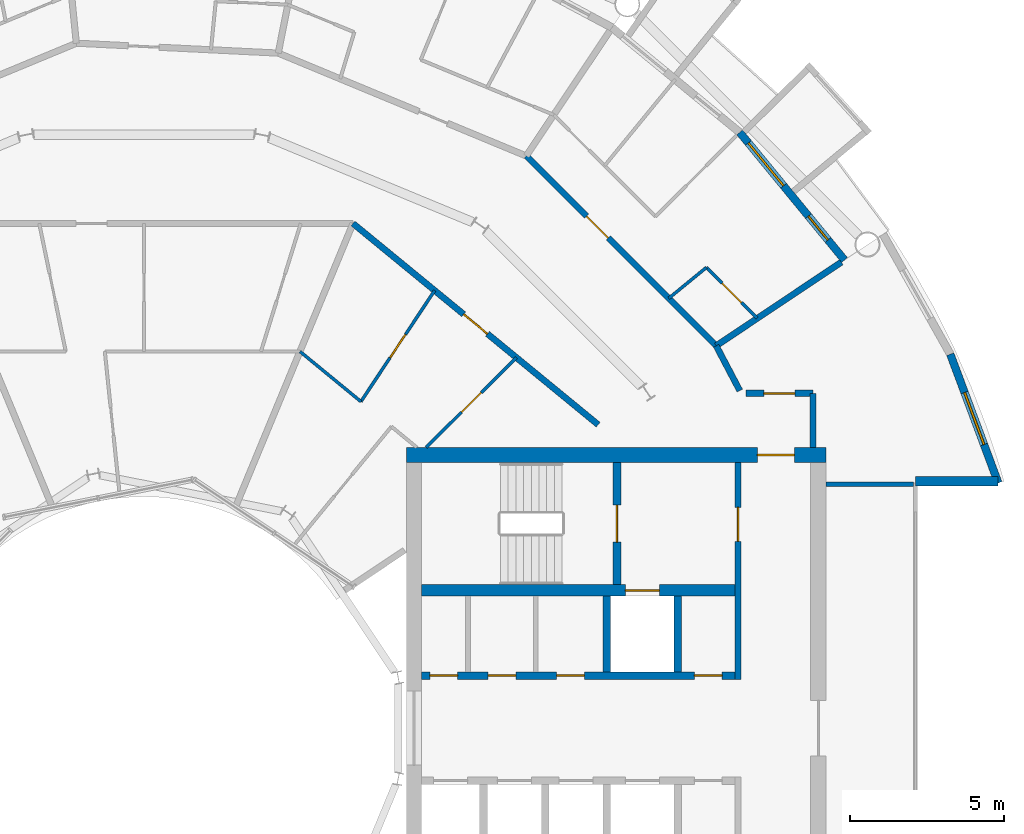
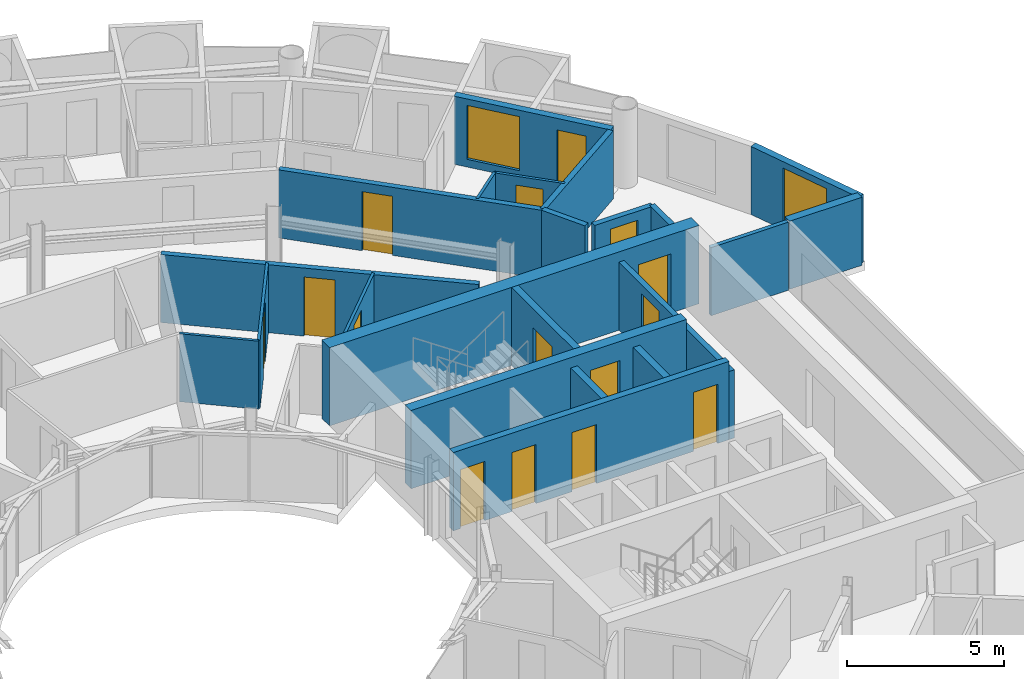
# One storey, part 22 of 26: 22 walls, 15 doors, 2 windows, 17 openings.
"""IFC4 building model written with IfcOpenShell, lengths in metres."""

from ifc_helpers import new_model, si_unit, direction, frame, frame_2d, origin, place, context, subcontext, project, spatial, rectangle, extrude, material, layer, layer_set, type_object, element, fill, save


model = new_model("IFC4")

# Units and contexts
model_context = context("Model", 3, precision=1e-05, world=origin(), true_north=direction((0.0, 1.0)))
body_context = subcontext(model_context, "Body", "Model", "MODEL_VIEW")
ifc_project = project(units=[si_unit("LENGTHUNIT", "METRE"), si_unit("AREAUNIT", "SQUARE_METRE"), si_unit("VOLUMEUNIT", "CUBIC_METRE"), si_unit("PLANEANGLEUNIT", "RADIAN"), si_unit("MASSUNIT", "GRAM", prefix="KILO")], contexts=[model_context])

# Site, building, storey
site_placement = place(None, origin())
site = spatial("IfcSite", under=ifc_project, at=site_placement, CompositionType="ELEMENT")
building_placement = place(site_placement, origin())
building = spatial("IfcBuilding", under=site, at=building_placement, Name="Maasbend Ring Residences", CompositionType="ELEMENT")
storey_placement = place(building_placement, frame((0.0, 0.0, 176.85009765625)))
storey = spatial("IfcBuildingStorey", under=building, at=storey_placement, Name="L51", CompositionType="ELEMENT", Elevation=176.85009765625)

# Wall, openings, doors
ifc_material_1 = material(Name="Concrete C60/75", Category="concrete")
ifc_layer_1 = layer(ifc_material_1, 0.25)
ifc_layer_set_1 = layer_set([ifc_layer_1], Name="Concrete C60/75")
wall_type_1 = type_object("IfcWallType", Name="CORE WALL 250 C60/75", PredefinedType="SHEAR", material=ifc_layer_set_1)
wall_1_placement = place(storey_placement, frame((9.0, 1.699951171875, 0.0), z_axis=(0.0, 0.0, 1.0), x_axis=(1.0, 0.0, 0.0)))
wall_1 = element("IfcWall", 1, at=wall_1_placement, inside=storey, type_object=wall_type_1, Name="L51 core E wall SPN", PredefinedType="SHEAR", context=body_context, shape_type="SweptSolid", body=[
    extrude(rectangle(XDim=10.14990234375, YDim=0.25, at=frame_2d((5.074951171875, 0.0))), origin(), (0.0, 0.0, 1.0), 3.0498046875),
])
opening_1_placement = place(wall_1_placement, frame((0.262451171875, 0.0, 0.0)))
opening_1 = element("IfcOpeningElement", 2, at=opening_1_placement, cuts=wall_1, Name="Opening D-E5106", PredefinedType="OPENING", context=body_context, shape_type="SweptSolid", body=[
    extrude(rectangle(XDim=0.89990234375, YDim=2.300048828125, at=frame_2d((0.449951171875, 1.14990234375))), frame((0.0, 0.135009765625, 0.0), z_axis=(0.0, -1.0, 0.0), x_axis=(1.0, 0.0, 0.0)), (0.0, 0.0, 1.0), 0.27001953125),
])
opening_2_placement = place(wall_1_placement, frame((2.14990234375, 0.0, 0.0)))
opening_2 = element("IfcOpeningElement", 3, at=opening_2_placement, cuts=wall_1, Name="Opening D-E5107", PredefinedType="OPENING", context=body_context, shape_type="SweptSolid", body=[
    extrude(rectangle(XDim=0.89990234375, YDim=2.300048828125, at=frame_2d((0.449951171875, 1.14990234375))), frame((0.0, 0.135009765625, 0.0), z_axis=(0.0, -1.0, 0.0), x_axis=(1.0, 0.0, 0.0)), (0.0, 0.0, 1.0), 0.27001953125),
])
opening_3_placement = place(wall_1_placement, frame((4.375, 0.0, 0.0)))
opening_3 = element("IfcOpeningElement", 4, at=opening_3_placement, cuts=wall_1, Name="Opening D-E5108", PredefinedType="OPENING", context=body_context, shape_type="SweptSolid", body=[
    extrude(rectangle(XDim=0.89990234375, YDim=2.300048828125, at=frame_2d((0.449951171875, 1.14990234375))), frame((0.0, 0.135009765625, 0.0), z_axis=(0.0, -1.0, 0.0), x_axis=(1.0, 0.0, 0.0)), (0.0, 0.0, 1.0), 0.27001953125),
])
opening_4_placement = place(wall_1_placement, frame((8.83740234375, 0.0, 0.0)))
opening_4 = element("IfcOpeningElement", 5, at=opening_4_placement, cuts=wall_1, Name="Opening D-E5109", PredefinedType="OPENING", context=body_context, shape_type="SweptSolid", body=[
    extrude(rectangle(XDim=0.89990234375, YDim=2.300048828125, at=frame_2d((0.449951171875, 1.14990234375))), frame((0.0, 0.135009765625, 0.0), z_axis=(0.0, -1.0, 0.0), x_axis=(1.0, 0.0, 0.0)), (0.0, 0.0, 1.0), 0.27001953125),
])
ifc_material_2 = material(Name="Steel, powder coated", Category="steel")
door_type_1 = type_object("IfcDoorType", Name="ROOM DOOR 900 X 2300 FD30S", OperationType="NOTDEFINED", PredefinedType="DOOR", material=ifc_material_2)
door_1_placement = place(opening_1_placement, origin())
door_1 = element("IfcDoor", 6, at=door_1_placement, inside=storey, type_object=door_type_1, Name="Room door L51", OperationType="SINGLE_SWING_RIGHT", OverallHeight=2.300048828125, OverallWidth=0.89990234375, PredefinedType="DOOR", context=body_context, shape_type="SweptSolid", body=[
    extrude(rectangle(XDim=0.89990234375, YDim=2.300048828125, at=frame_2d((0.449951171875, 1.14990234375))), frame((0.0, 0.02490234375, 0.0), z_axis=(0.0, -1.0, 0.0), x_axis=(1.0, 0.0, 0.0)), (0.0, 0.0, 1.0), 0.050048828125),
])
fill(opening_1, door_1)
door_2_placement = place(opening_2_placement, origin())
door_2 = element("IfcDoor", 7, at=door_2_placement, inside=storey, type_object=door_type_1, Name="Room door L51", OperationType="SINGLE_SWING_RIGHT", OverallHeight=2.300048828125, OverallWidth=0.89990234375, PredefinedType="DOOR", context=body_context, shape_type="SweptSolid", body=[
    extrude(rectangle(XDim=0.89990234375, YDim=2.300048828125, at=frame_2d((0.449951171875, 1.14990234375))), frame((0.0, 0.02490234375, 0.0), z_axis=(0.0, -1.0, 0.0), x_axis=(1.0, 0.0, 0.0)), (0.0, 0.0, 1.0), 0.050048828125),
])
fill(opening_2, door_2)
door_3_placement = place(opening_3_placement, origin())
door_3 = element("IfcDoor", 8, at=door_3_placement, inside=storey, type_object=door_type_1, Name="Room door L51", OperationType="SINGLE_SWING_RIGHT", OverallHeight=2.300048828125, OverallWidth=0.89990234375, PredefinedType="DOOR", context=body_context, shape_type="SweptSolid", body=[
    extrude(rectangle(XDim=0.89990234375, YDim=2.300048828125, at=frame_2d((0.449951171875, 1.14990234375))), frame((0.0, 0.02490234375, 0.0), z_axis=(0.0, -1.0, 0.0), x_axis=(1.0, 0.0, 0.0)), (0.0, 0.0, 1.0), 0.050048828125),
])
fill(opening_3, door_3)
door_4_placement = place(opening_4_placement, origin())
door_4 = element("IfcDoor", 9, at=door_4_placement, inside=storey, type_object=door_type_1, Name="Room door L51", OperationType="SINGLE_SWING_LEFT", OverallHeight=2.300048828125, OverallWidth=0.89990234375, PredefinedType="DOOR", context=body_context, shape_type="SweptSolid", body=[
    extrude(rectangle(XDim=0.89990234375, YDim=2.300048828125, at=frame_2d((0.449951171875, 1.14990234375))), frame((0.0, 0.02490234375, 0.0), z_axis=(0.0, -1.0, 0.0), x_axis=(1.0, 0.0, 0.0)), (0.0, 0.0, 1.0), 0.050048828125),
])
fill(opening_4, door_4)

# Wall, opening, door
wall_2_placement = place(storey_placement, frame((15.324951171875, 4.64990234375, 0.0), z_axis=(0.0, 0.0, 1.0), x_axis=(0.0, 1.0, 0.0)))
wall_2 = element("IfcWall", 10, at=wall_2_placement, inside=storey, type_object=wall_type_1, Name="L51 core E wall STEN", PredefinedType="SHEAR", context=body_context, shape_type="SweptSolid", body=[
    extrude(rectangle(XDim=3.9501953125, YDim=0.25, at=frame_2d((1.97509765625, 0.0))), origin(), (0.0, 0.0, 1.0), 3.0498046875),
])
opening_5_placement = place(wall_2_placement, frame((1.375, 0.0, 0.0)))
opening_5 = element("IfcOpeningElement", 11, at=opening_5_placement, cuts=wall_2, Name="Opening D-E5112", PredefinedType="OPENING", context=body_context, shape_type="SweptSolid", body=[
    extrude(rectangle(XDim=1.199951171875, YDim=2.300048828125, at=frame_2d((0.60009765625, 1.14990234375))), frame((0.0, 0.135009765625, 0.0), z_axis=(0.0, -1.0, 0.0), x_axis=(1.0, 0.0, 0.0)), (0.0, 0.0, 1.0), 0.27001953125),
])
ifc_material_3 = material(Name="Steel, powder coated", Category="steel")
door_type_2 = type_object("IfcDoorType", Name="STAIR DOOR 1200 X 2300 FD60", OperationType="NOTDEFINED", PredefinedType="DOOR", material=ifc_material_3)
door_5_placement = place(opening_5_placement, origin())
door_5 = element("IfcDoor", 12, at=door_5_placement, inside=storey, type_object=door_type_2, Name="Stair door ST-E L51", OperationType="SINGLE_SWING_LEFT", OverallHeight=2.300048828125, OverallWidth=1.199951171875, PredefinedType="DOOR", context=body_context, shape_type="SweptSolid", body=[
    extrude(rectangle(XDim=1.199951171875, YDim=2.300048828125, at=frame_2d((0.60009765625, 1.14990234375))), frame((0.0, 0.02490234375, 0.0), z_axis=(0.0, -1.0, 0.0), x_axis=(1.0, 0.0, 0.0)), (0.0, 0.0, 1.0), 0.050048828125),
])
fill(opening_5, door_5)

ifc_material_4 = material(Name="Concrete C60/75", Category="concrete")
ifc_layer_2 = layer(ifc_material_4, 0.375)
ifc_layer_set_2 = layer_set([ifc_layer_2], Name="Concrete C60/75")
wall_type_2 = type_object("IfcWallType", Name="CORE WALL 375 C60/75", PredefinedType="SHEAR", material=ifc_layer_set_2)
wall_3_placement = place(storey_placement, frame((9.0, 4.46240234375, 0.0), z_axis=(0.0, 0.0, 1.0), x_axis=(1.0, 0.0, 0.0)))
wall_3 = element("IfcWall", 13, at=wall_3_placement, inside=storey, type_object=wall_type_2, Name="L51 core E wall BN", PredefinedType="SHEAR", context=body_context, shape_type="SweptSolid", body=[
    extrude(rectangle(XDim=10.14990234375, YDim=0.375, at=frame_2d((5.074951171875, 0.0))), origin(), (0.0, 0.0, 1.0), 3.0498046875),
])
opening_6_placement = place(wall_3_placement, frame((6.60009765625, 0.0, 0.0)))
opening_6 = element("IfcOpeningElement", 14, at=opening_6_placement, cuts=wall_3, Name="Opening LD-E5101", PredefinedType="OPENING", context=body_context, shape_type="SweptSolid", body=[
    extrude(rectangle(XDim=1.10009765625, YDim=2.300048828125, at=frame_2d((0.550048828125, 1.14990234375))), frame((0.0, 0.197509765625, 0.0), z_axis=(0.0, -1.0, 0.0), x_axis=(1.0, 0.0, 0.0)), (0.0, 0.0, 1.0), 0.39501953125),
])
ifc_material_5 = material(Name="Stainless steel 316", Category="steel")
door_type_3 = type_object("IfcDoorType", Name="LANDING DOOR 1100 X 2300 FD60", OperationType="DOUBLE_DOOR_SLIDING", PredefinedType="DOOR", material=ifc_material_5)
door_6_placement = place(opening_6_placement, origin())
door_6 = element("IfcDoor", 15, at=door_6_placement, inside=storey, type_object=door_type_3, Name="Landing door FF-E L51", OperationType="DOUBLE_DOOR_SLIDING", OverallHeight=2.300048828125, OverallWidth=1.10009765625, PredefinedType="DOOR", context=body_context, shape_type="SweptSolid", body=[
    extrude(rectangle(XDim=1.10009765625, YDim=2.300048828125, at=frame_2d((0.550048828125, 1.14990234375))), frame((0.0, 0.02490234375, 0.0), z_axis=(0.0, -1.0, 0.0), x_axis=(1.0, 0.0, 0.0)), (0.0, 0.0, 1.0), 0.050048828125),
])
fill(opening_6, door_6)

ifc_material_6 = material(Name="Concrete C60/75", Category="concrete")
ifc_layer_3 = layer(ifc_material_6, 0.5)
ifc_layer_set_3 = layer_set([ifc_layer_3], Name="Concrete C60/75")
wall_type_3 = type_object("IfcWallType", Name="CORE WALL 500 C60/75", PredefinedType="SHEAR", material=ifc_layer_set_3)
wall_4_placement = place(storey_placement, frame((22.10009765625, 8.85009765625, 0.0), z_axis=(0.0, 0.0, 1.0), x_axis=(-1.0, 0.0, 0.0)))
wall_4 = element("IfcWall", 16, at=wall_4_placement, inside=storey, type_object=wall_type_3, Name="L51 core E wall PN", PredefinedType="SHEAR", context=body_context, shape_type="SweptSolid", body=[
    extrude(rectangle(XDim=13.60009765625, YDim=0.5, at=frame_2d((6.800048828125, 0.0))), origin(), (0.0, 0.0, 1.0), 3.0498046875),
])
opening_7_placement = place(wall_4_placement, frame((1.02490234375, 0.0, 0.0)))
opening_7 = element("IfcOpeningElement", 17, at=opening_7_placement, cuts=wall_4, Name="Opening D-E5116", PredefinedType="OPENING", context=body_context, shape_type="SweptSolid", body=[
    extrude(rectangle(XDim=1.199951171875, YDim=2.300048828125, at=frame_2d((0.60009765625, 1.14990234375))), frame((0.0, 0.260009765625, 0.0), z_axis=(0.0, -1.0, 0.0), x_axis=(1.0, 0.0, 0.0)), (0.0, 0.0, 1.0), 0.52001953125),
])
ifc_material_7 = material(Name="Steel, powder coated", Category="steel")
door_type_4 = type_object("IfcDoorType", Name="CORRIDOR DOOR 1200 X 2300 FD30S", OperationType="NOTDEFINED", PredefinedType="DOOR", material=ifc_material_7)
door_7_placement = place(opening_7_placement, origin())
door_7 = element("IfcDoor", 18, at=door_7_placement, inside=storey, type_object=door_type_4, Name="Corridor door L51", OperationType="SINGLE_SWING_RIGHT", OverallHeight=2.300048828125, OverallWidth=1.199951171875, PredefinedType="DOOR", context=body_context, shape_type="SweptSolid", body=[
    extrude(rectangle(XDim=1.199951171875, YDim=2.300048828125, at=frame_2d((0.60009765625, 1.14990234375))), frame((0.0, 0.02490234375, 0.0), z_axis=(0.0, -1.0, 0.0), x_axis=(1.0, 0.0, 0.0)), (0.0, 0.0, 1.0), 0.050048828125),
])
fill(opening_7, door_7)

# Wall
ifc_material_8 = material(Name="Concrete C30/37", Category="concrete")
ifc_layer_4 = layer(ifc_material_8, 0.199951171875)
ifc_layer_set_4 = layer_set([ifc_layer_4], Name="Concrete C30/37")
wall_type_4 = type_object("IfcWallType", Name="CORRIDOR WALL 200 CONCRETE", PredefinedType="PARTITIONING", material=ifc_layer_set_4)
wall_5_placement = place(storey_placement, frame((21.675048828125, 9.10009765625, 0.0), z_axis=(0.0, 0.0, 1.0), x_axis=(0.0, 1.0, 0.0)))
element("IfcWall", 19, at=wall_5_placement, inside=storey, type_object=wall_type_4, Name="U-L51-w013", PredefinedType="PARTITIONING", context=body_context, shape_type="SweptSolid", body=[
    extrude(rectangle(XDim=1.75, YDim=0.199951171875, at=frame_2d((0.875, 0.0))), origin(), (0.0, 0.0, 1.0), 2.64990234375),
])

# Wall, opening, door
wall_6_placement = place(storey_placement, frame((19.50390625, 10.85009765625, 0.0), z_axis=(0.0, 0.0, 1.0), x_axis=(1.0, 0.0, 0.0)))
wall_6 = element("IfcWall", 20, at=wall_6_placement, inside=storey, type_object=wall_type_4, Name="U-L51-w097", PredefinedType="PARTITIONING", context=body_context, shape_type="SweptSolid", body=[
    extrude(rectangle(XDim=2.171142578125, YDim=0.199951171875, at=frame_2d((1.08544921875, 0.0))), origin(), (0.0, 0.0, 1.0), 2.64990234375),
])
opening_8_placement = place(wall_6_placement, frame((0.5849609375, 0.0, 0.0)))
opening_8 = element("IfcOpeningElement", 21, at=opening_8_placement, cuts=wall_6, Name="Opening D-5168", PredefinedType="OPENING", context=body_context, shape_type="SweptSolid", body=[
    extrude(rectangle(XDim=1.0, YDim=2.300048828125, at=frame_2d((0.5, 1.14990234375))), frame((0.0, 0.10986328125, 0.0), z_axis=(0.0, -1.0, 0.0), x_axis=(1.0, 0.0, 0.0)), (0.0, 0.0, 1.0), 0.219970703125),
])
ifc_material_9 = material(Name="Timber, painted", Category="wood")
door_type_5 = type_object("IfcDoorType", Name="ROOM DOOR 1000 X 2300", OperationType="NOTDEFINED", PredefinedType="DOOR", material=ifc_material_9)
door_8_placement = place(opening_8_placement, origin())
door_8 = element("IfcDoor", 22, at=door_8_placement, inside=storey, type_object=door_type_5, Name="D-5168", OperationType="SINGLE_SWING_LEFT", OverallHeight=2.300048828125, OverallWidth=1.0, PredefinedType="DOOR", context=body_context, shape_type="SweptSolid", body=[
    extrude(rectangle(XDim=1.0, YDim=2.300048828125, at=frame_2d((0.5, 1.14990234375))), frame((0.0, 0.02490234375, 0.0), z_axis=(0.0, -1.0, 0.0), x_axis=(1.0, 0.0, 0.0)), (0.0, 0.0, 1.0), 0.050048828125),
])
fill(opening_8, door_8)

wall_7_placement = place(storey_placement, frame((6.77294921875, 16.35302734375, 0.0), z_axis=(0.0, 0.0, 1.0), x_axis=(0.773034536097, -0.634363938131, 0.0)))
wall_7 = element("IfcWall", 23, at=wall_7_placement, inside=storey, type_object=wall_type_4, Name="U-L51-w106", PredefinedType="PARTITIONING", context=body_context, shape_type="SweptSolid", body=[
    extrude(rectangle(XDim=10.276611328125, YDim=0.199951171875, at=frame_2d((5.13818359375, 0.0))), origin(), (0.0, 0.0, 1.0), 2.64990234375),
])
opening_9_placement = place(wall_7_placement, frame((4.637939453125, 0.0, 0.0)))
opening_9 = element("IfcOpeningElement", 24, at=opening_9_placement, cuts=wall_7, Name="Opening D-5120", PredefinedType="OPENING", context=body_context, shape_type="SweptSolid", body=[
    extrude(rectangle(XDim=1.0, YDim=2.300048828125, at=frame_2d((0.5, 1.14990234375))), frame((0.0, 0.10986328125, 0.0), z_axis=(0.0, -1.0, 0.0), x_axis=(1.0, 0.0, 0.0)), (0.0, 0.0, 1.0), 0.219970703125),
])
ifc_material_10 = material(Name="Timber, fire-rated, painted", Category="wood")
door_type_6 = type_object("IfcDoorType", Name="FLAT ENTRANCE DOOR 1000 X 2300 FIRE-RATED", OperationType="NOTDEFINED", PredefinedType="DOOR", material=ifc_material_10)
door_9_placement = place(opening_9_placement, origin())
door_9 = element("IfcDoor", 25, at=door_9_placement, inside=storey, type_object=door_type_6, Name="D-5120", OperationType="SINGLE_SWING_RIGHT", OverallHeight=2.300048828125, OverallWidth=1.0, PredefinedType="DOOR", context=body_context, shape_type="SweptSolid", body=[
    extrude(rectangle(XDim=1.0, YDim=2.300048828125, at=frame_2d((0.5, 1.14990234375))), frame((0.0, 0.02490234375, 0.0), z_axis=(0.0, -1.0, 0.0), x_axis=(1.0, 0.0, 0.0)), (0.0, 0.0, 1.0), 0.050048828125),
])
fill(opening_9, door_9)

wall_8_placement = place(storey_placement, frame((12.388916015625, 18.5419921875, 0.0), z_axis=(0.0, 0.0, 1.0), x_axis=(0.707106781187, -0.707106781187, 0.0)))
wall_8 = element("IfcWall", 26, at=wall_8_placement, inside=storey, type_object=wall_type_4, Name="U-L51-w111", PredefinedType="PARTITIONING", context=body_context, shape_type="SweptSolid", body=[
    extrude(rectangle(XDim=8.70166015625, YDim=0.199951171875, at=frame_2d((4.350830078125, 0.0))), origin(), (0.0, 0.0, 1.0), 2.64990234375),
])
opening_10_placement = place(wall_8_placement, frame((2.762939453125, 0.0, 0.0)))
opening_10 = element("IfcOpeningElement", 27, at=opening_10_placement, cuts=wall_8, Name="Opening D-5101", PredefinedType="OPENING", context=body_context, shape_type="SweptSolid", body=[
    extrude(rectangle(XDim=1.0, YDim=2.300048828125, at=frame_2d((0.5, 1.14990234375))), frame((0.0, 0.10986328125, 0.0), z_axis=(0.0, -1.0, 0.0), x_axis=(1.0, 0.0, 0.0)), (0.0, 0.0, 1.0), 0.219970703125),
])
door_10_placement = place(opening_10_placement, origin())
door_10 = element("IfcDoor", 28, at=door_10_placement, inside=storey, type_object=door_type_6, Name="D-5101", OperationType="SINGLE_SWING_LEFT", OverallHeight=2.300048828125, OverallWidth=1.0, PredefinedType="DOOR", context=body_context, shape_type="SweptSolid", body=[
    extrude(rectangle(XDim=1.0, YDim=2.300048828125, at=frame_2d((0.5, 1.14990234375))), frame((0.0, 0.02490234375, 0.0), z_axis=(0.0, -1.0, 0.0), x_axis=(1.0, 0.0, 0.0)), (0.0, 0.0, 1.0), 0.050048828125),
])
fill(opening_10, door_10)

# Wall
wall_9_placement = place(storey_placement, frame((18.5419921875, 12.388916015625, 0.0), z_axis=(0.0, 0.0, 1.0), x_axis=(0.465605550524, -0.884992356646, 0.0)))
element("IfcWall", 29, at=wall_9_placement, inside=storey, type_object=wall_type_4, Name="U-L51-w115", PredefinedType="PARTITIONING", context=body_context, shape_type="SweptSolid", body=[
    extrude(rectangle(XDim=1.642822265625, YDim=0.199951171875, at=frame_2d((0.8212890625, 0.0))), origin(), (0.0, 0.0, 1.0), 2.64990234375),
])

# Wall, openings, door, window
ifc_material_11 = material(Name="Aluminium clad insulated panel", Category="aluminium")
ifc_layer_5 = layer(ifc_material_11, 0.25)
ifc_layer_set_5 = layer_set([ifc_layer_5], Name="EW-GL")
wall_type_5 = type_object("IfcWallType", Name="EW-GL", PredefinedType="SOLIDWALL", material=ifc_layer_set_5)
wall_10_placement = place(storey_placement, frame((22.698974609375, 15.1669921875, 0.0), z_axis=(0.0, 0.0, 1.0), x_axis=(-0.634382322723, 0.773019449054, 0.0)))
wall_10 = element("IfcWall", 30, at=wall_10_placement, inside=storey, type_object=wall_type_5, Name="External wall N01", PredefinedType="SOLIDWALL", context=body_context, shape_type="SweptSolid", body=[
    extrude(rectangle(XDim=5.351806640625, YDim=0.25, at=frame_2d((2.67578125, 0.0))), origin(), (0.0, 0.0, 1.0), 2.64990234375),
])
opening_11_placement = place(wall_10_placement, frame((0.841064453125, 0.0, 0.0)))
opening_11 = element("IfcOpeningElement", 31, at=opening_11_placement, cuts=wall_10, Name="Opening D-LG", PredefinedType="OPENING", context=body_context, shape_type="SweptSolid", body=[
    extrude(rectangle(XDim=1.0, YDim=2.199951171875, at=frame_2d((0.5, 1.10009765625))), frame((0.0, 0.135009765625, 0.0), z_axis=(0.0, -1.0, 0.0), x_axis=(1.0, 0.0, 0.0)), (0.0, 0.0, 1.0), 0.27001953125),
])
opening_12_placement = place(wall_10_placement, frame((3.110595703125, 0.0, 0.300048828125)))
opening_12 = element("IfcOpeningElement", 32, at=opening_12_placement, cuts=wall_10, Name="Opening W-BX", PredefinedType="OPENING", context=body_context, shape_type="SweptSolid", body=[
    extrude(rectangle(XDim=1.800048828125, YDim=2.10009765625, at=frame_2d((0.89990234375, 1.050048828125))), frame((0.0, 0.135009765625, 0.0), z_axis=(0.0, -1.0, 0.0), x_axis=(1.0, 0.0, 0.0)), (0.0, 0.0, 1.0), 0.27001953125),
])
ifc_material_12 = material(Name="Aluminium and clear glass", Category="aluminium")
door_type_7 = type_object("IfcDoorType", Name="D-LG", OperationType="SINGLE_SWING_LEFT", PredefinedType="DOOR", material=ifc_material_12)
door_11_placement = place(opening_11_placement, origin())
door_11 = element("IfcDoor", 33, at=door_11_placement, inside=storey, type_object=door_type_7, Name="Loggia door N01", OperationType="SINGLE_SWING_LEFT", OverallHeight=2.199951171875, OverallWidth=1.0, PredefinedType="DOOR", context=body_context, shape_type="SweptSolid", body=[
    extrude(rectangle(XDim=1.0, YDim=2.199951171875, at=frame_2d((0.5, 1.10009765625))), frame((0.0, 0.02490234375, 0.0), z_axis=(0.0, -1.0, 0.0), x_axis=(1.0, 0.0, 0.0)), (0.0, 0.0, 1.0), 0.050048828125),
])
fill(opening_11, door_11)
ifc_material_13 = material(Name="Aluminium and clear glass", Category="aluminium")
window_type = type_object("IfcWindowType", Name="W-BX", PartitioningType="DOUBLE_PANEL_VERTICAL", PredefinedType="WINDOW", material=ifc_material_13)
window_1_placement = place(opening_12_placement, origin())
window_1 = element("IfcWindow", 34, at=window_1_placement, inside=storey, type_object=window_type, Name="Window N02 room to box", OverallHeight=2.10009765625, OverallWidth=1.800048828125, PartitioningType="SINGLE_PANEL", PredefinedType="WINDOW", context=body_context, shape_type="SweptSolid", body=[
    extrude(rectangle(XDim=1.800048828125, YDim=2.10009765625, at=frame_2d((0.89990234375, 1.050048828125))), frame((0.0, 0.030029296875, 0.0), z_axis=(0.0, -1.0, 0.0), x_axis=(1.0, 0.0, 0.0)), (0.0, 0.0, 1.0), 0.06005859375),
])
fill(opening_12, window_1)

# Wall, opening, window
ifc_material_14 = material(Name="Aluminium clad insulated panel", Category="aluminium")
ifc_layer_6 = layer(ifc_material_14, 0.25)
ifc_layer_set_6 = layer_set([ifc_layer_6], Name="EW-HORN")
wall_type_6 = type_object("IfcWallType", Name="EW-HORN", PredefinedType="SOLIDWALL", material=ifc_layer_set_6)
wall_11_placement = place(storey_placement, frame((27.681884765625, 7.945068359375, 0.0), z_axis=(0.0, 0.0, 1.0), x_axis=(-0.349247811493, 0.937030397675, 0.0)))
wall_11 = element("IfcWall", 35, at=wall_11_placement, inside=storey, type_object=wall_type_6, Name="Horn wall 1.1", PredefinedType="SOLIDWALL", context=body_context, shape_type="SweptSolid", body=[
    extrude(rectangle(XDim=4.4521484375, YDim=0.25, at=frame_2d((2.22607421875, 0.0))), origin(), (0.0, 0.0, 1.0), 2.64990234375),
])
opening_13_placement = place(wall_11_placement, frame((1.32666015625, 0.0, 0.300048828125)))
opening_13 = element("IfcOpeningElement", 36, at=opening_13_placement, cuts=wall_11, Name="Opening W-BX", PredefinedType="OPENING", context=body_context, shape_type="SweptSolid", body=[
    extrude(rectangle(XDim=1.800048828125, YDim=2.10009765625, at=frame_2d((0.89990234375, 1.050048828125))), frame((0.0, 0.135009765625, 0.0), z_axis=(0.0, -1.0, 0.0), x_axis=(1.0, 0.0, 0.0)), (0.0, 0.0, 1.0), 0.27001953125),
])
window_2_placement = place(opening_13_placement, origin())
window_2 = element("IfcWindow", 37, at=window_2_placement, inside=storey, type_object=window_type, Name="Horn window 1.1", OverallHeight=2.10009765625, OverallWidth=1.800048828125, PartitioningType="SINGLE_PANEL", PredefinedType="WINDOW", context=body_context, shape_type="SweptSolid", body=[
    extrude(rectangle(XDim=1.800048828125, YDim=2.10009765625, at=frame_2d((0.89990234375, 1.050048828125))), frame((0.0, 0.030029296875, 0.0), z_axis=(0.0, -1.0, 0.0), x_axis=(1.0, 0.0, 0.0)), (0.0, 0.0, 1.0), 0.06005859375),
])
fill(opening_13, window_2)

# Walls
ifc_material_15 = material(Name="Aluminium clad insulated panel", Category="aluminium")
ifc_layer_7 = layer(ifc_material_15, 0.300048828125)
ifc_layer_set_7 = layer_set([ifc_layer_7], Name="EW-RET")
wall_type_7 = type_object("IfcWallType", Name="EW-RET", PredefinedType="SOLIDWALL", material=ifc_layer_set_7)
wall_12_placement = place(storey_placement, frame((25.0, 8.0, 0.0), z_axis=(0.0, 0.0, 1.0), x_axis=(1.0, 0.0, 0.0)))
element("IfcWall", 38, at=wall_12_placement, inside=storey, type_object=wall_type_7, Name="Notch return wall east north", PredefinedType="SOLIDWALL", context=body_context, shape_type="SweptSolid", body=[
    extrude(rectangle(XDim=2.6669921875, YDim=0.300048828125, at=frame_2d((1.33349609375, 0.0))), origin(), (0.0, 0.0, 1.0), 2.64990234375),
])
ifc_material_16 = material(Name="Gypsum board on steel studs", Category="steel")
ifc_layer_8 = layer(ifc_material_16, 0.10009765625)
ifc_layer_set_8 = layer_set([ifc_layer_8], Name="PARTITION 100 GYPSUM")
wall_type_8 = type_object("IfcWallType", Name="PARTITION 100 GYPSUM", PredefinedType="PARTITIONING", material=ifc_layer_set_8)
wall_13_placement = place(storey_placement, frame((17.00390625, 13.927001953125, 0.0), z_axis=(0.0, 0.0, 1.0), x_axis=(0.773446828454, 0.633861186344, 0.0)))
element("IfcWall", 39, at=wall_13_placement, inside=storey, type_object=wall_type_8, Name="U-L51-w032", PredefinedType="PARTITIONING", context=body_context, shape_type="SweptSolid", body=[
    extrude(rectangle(XDim=1.57763671875, YDim=0.10009765625, at=frame_2d((0.788818359375, 0.0))), origin(), (0.0, 0.0, 1.0), 2.64990234375),
])

# Wall, opening, door
wall_14_placement = place(storey_placement, frame((7.031005859375, 10.58203125, 0.0), z_axis=(0.0, 0.0, 1.0), x_axis=(0.553303732327, 0.832979579457, 0.0)))
wall_14 = element("IfcWall", 40, at=wall_14_placement, inside=storey, type_object=wall_type_8, Name="U-L51-w077", PredefinedType="PARTITIONING", context=body_context, shape_type="SweptSolid", body=[
    extrude(rectangle(XDim=4.3193359375, YDim=0.10009765625, at=frame_2d((2.15966796875, 0.0))), origin(), (0.0, 0.0, 1.0), 2.64990234375),
])
opening_14_placement = place(wall_14_placement, frame((1.7099609375, 0.0, 0.0)))
opening_14 = element("IfcOpeningElement", 41, at=opening_14_placement, cuts=wall_14, Name="Opening D-5121", PredefinedType="OPENING", context=body_context, shape_type="SweptSolid", body=[
    extrude(rectangle(XDim=0.89990234375, YDim=2.300048828125, at=frame_2d((0.449951171875, 1.14990234375))), frame((0.0, 0.06005859375, 0.0), z_axis=(0.0, -1.0, 0.0), x_axis=(1.0, 0.0, 0.0)), (0.0, 0.0, 1.0), 0.1201171875),
])
ifc_material_17 = material(Name="Timber, painted", Category="wood")
door_type_8 = type_object("IfcDoorType", Name="INTERNAL DOOR 900 X 2300", OperationType="NOTDEFINED", PredefinedType="DOOR", material=ifc_material_17)
door_12_placement = place(opening_14_placement, origin())
door_12 = element("IfcDoor", 42, at=door_12_placement, inside=storey, type_object=door_type_8, Name="D-5121", OperationType="SINGLE_SWING_LEFT", OverallHeight=2.300048828125, OverallWidth=0.89990234375, PredefinedType="DOOR", context=body_context, shape_type="SweptSolid", body=[
    extrude(rectangle(XDim=0.89990234375, YDim=2.300048828125, at=frame_2d((0.449951171875, 1.14990234375))), frame((0.0, 0.02490234375, 0.0), z_axis=(0.0, -1.0, 0.0), x_axis=(1.0, 0.0, 0.0)), (0.0, 0.0, 1.0), 0.050048828125),
])
fill(opening_14, door_12)

wall_15_placement = place(storey_placement, frame((9.14794921875, 9.10009765625, 0.0), z_axis=(0.0, 0.0, 1.0), x_axis=(0.708822693149, 0.705386695138, 0.0)))
wall_15 = element("IfcWall", 43, at=wall_15_placement, inside=storey, type_object=wall_type_8, Name="U-L51-w081", PredefinedType="PARTITIONING", context=body_context, shape_type="SweptSolid", body=[
    extrude(rectangle(XDim=4.12109375, YDim=0.10009765625, at=frame_2d((2.060546875, 0.0))), origin(), (0.0, 0.0, 1.0), 2.64990234375),
])
opening_15_placement = place(wall_15_placement, frame((1.611083984375, 0.0, 0.0)))
opening_15 = element("IfcOpeningElement", 44, at=opening_15_placement, cuts=wall_15, Name="Opening D-5122", PredefinedType="OPENING", context=body_context, shape_type="SweptSolid", body=[
    extrude(rectangle(XDim=0.89990234375, YDim=2.300048828125, at=frame_2d((0.449951171875, 1.14990234375))), frame((0.0, 0.06005859375, 0.0), z_axis=(0.0, -1.0, 0.0), x_axis=(1.0, 0.0, 0.0)), (0.0, 0.0, 1.0), 0.1201171875),
])
door_13_placement = place(opening_15_placement, origin())
door_13 = element("IfcDoor", 45, at=door_13_placement, inside=storey, type_object=door_type_8, Name="D-5122", OperationType="SINGLE_SWING_LEFT", OverallHeight=2.300048828125, OverallWidth=0.89990234375, PredefinedType="DOOR", context=body_context, shape_type="SweptSolid", body=[
    extrude(rectangle(XDim=0.89990234375, YDim=2.300048828125, at=frame_2d((0.449951171875, 1.14990234375))), frame((0.0, 0.02490234375, 0.0), z_axis=(0.0, -1.0, 0.0), x_axis=(1.0, 0.0, 0.0)), (0.0, 0.0, 1.0), 0.050048828125),
])
fill(opening_15, door_13)

# Wall
wall_16_placement = place(storey_placement, frame((5.05810546875, 12.202880859375, 0.0), z_axis=(0.0, 0.0, 1.0), x_axis=(0.772764723682, -0.634692588449, 0.0)))
element("IfcWall", 46, at=wall_16_placement, inside=storey, type_object=wall_type_8, Name="U-L51-w102", PredefinedType="PARTITIONING", context=body_context, shape_type="SweptSolid", body=[
    extrude(rectangle(XDim=2.556884765625, YDim=0.10009765625, at=frame_2d((1.2783203125, 0.0))), origin(), (0.0, 0.0, 1.0), 2.64990234375),
])

# Wall, opening, door
wall_17_placement = place(storey_placement, frame((18.218017578125, 14.931884765625, 0.0), z_axis=(0.0, 0.0, 1.0), x_axis=(0.707106781187, -0.707106781187, 0.0)))
wall_17 = element("IfcWall", 47, at=wall_17_placement, inside=storey, type_object=wall_type_8, Name="U-L51-w121", PredefinedType="PARTITIONING", context=body_context, shape_type="SweptSolid", body=[
    extrude(rectangle(XDim=2.33203125, YDim=0.10009765625, at=frame_2d((1.166015625, 0.0))), origin(), (0.0, 0.0, 1.0), 2.64990234375),
])
opening_16_placement = place(wall_17_placement, frame((0.722900390625, 0.0, 0.0)))
opening_16 = element("IfcOpeningElement", 48, at=opening_16_placement, cuts=wall_17, Name="Opening D-5102", PredefinedType="OPENING", context=body_context, shape_type="SweptSolid", body=[
    extrude(rectangle(XDim=0.89990234375, YDim=2.300048828125, at=frame_2d((0.449951171875, 1.14990234375))), frame((0.0, 0.06005859375, 0.0), z_axis=(0.0, -1.0, 0.0), x_axis=(1.0, 0.0, 0.0)), (0.0, 0.0, 1.0), 0.1201171875),
])
door_14_placement = place(opening_16_placement, origin())
door_14 = element("IfcDoor", 49, at=door_14_placement, inside=storey, type_object=door_type_8, Name="D-5102", OperationType="SINGLE_SWING_RIGHT", OverallHeight=2.300048828125, OverallWidth=0.89990234375, PredefinedType="DOOR", context=body_context, shape_type="SweptSolid", body=[
    extrude(rectangle(XDim=0.89990234375, YDim=2.300048828125, at=frame_2d((0.449951171875, 1.14990234375))), frame((0.0, 0.02490234375, 0.0), z_axis=(0.0, -1.0, 0.0), x_axis=(1.0, 0.0, 0.0)), (0.0, 0.0, 1.0), 0.050048828125),
])
fill(opening_16, door_14)

# Walls
ifc_material_18 = material(Name="Gypsum board on steel studs", Category="steel")
ifc_layer_9 = layer(ifc_material_18, 0.14990234375)
ifc_layer_set_9 = layer_set([ifc_layer_9], Name="PARTITION 150 EI 60")
wall_type_9 = type_object("IfcWallType", Name="PARTITION 150 EI 60", PredefinedType="PARTITIONING", material=ifc_layer_set_9)
wall_18_placement = place(storey_placement, frame((22.10009765625, 7.89990234375, 0.0), z_axis=(0.0, 0.0, 1.0), x_axis=(1.0, 0.0, 0.0)))
element("IfcWall", 50, at=wall_18_placement, inside=storey, type_object=wall_type_9, Name="L51 core E wall CITN", PredefinedType="PARTITIONING", context=body_context, shape_type="SweptSolid", body=[
    extrude(rectangle(XDim=2.83984375, YDim=0.14990234375, at=frame_2d((1.419921875, 0.0))), origin(), (0.0, 0.0, 1.0), 2.64990234375),
])
ifc_material_19 = material(Name="Concrete C30/37", Category="concrete")
ifc_layer_10 = layer(ifc_material_19, 0.199951171875)
ifc_layer_set_10 = layer_set([ifc_layer_10], Name="Concrete C30/37")
wall_type_10 = type_object("IfcWallType", Name="PARTY WALL 200 CONCRETE", PredefinedType="PARTITIONING", material=ifc_layer_set_10)
wall_19_placement = place(storey_placement, frame((18.5419921875, 12.388916015625, 0.0), z_axis=(0.0, 0.0, 1.0), x_axis=(0.831387096605, 0.55569370664, 0.0)))
element("IfcWall", 51, at=wall_19_placement, inside=storey, type_object=wall_type_10, Name="U-L51-w090", PredefinedType="PARTITIONING", context=body_context, shape_type="SweptSolid", body=[
    extrude(rectangle(XDim=4.875, YDim=0.199951171875, at=frame_2d((2.4375, 0.0))), origin(), (0.0, 0.0, 1.0), 2.64990234375),
])

# Wall, opening, door
ifc_material_20 = material(Name="Concrete C30/37", Category="concrete")
ifc_layer_11 = layer(ifc_material_20, 0.199951171875)
ifc_layer_set_11 = layer_set([ifc_layer_11], Name="Concrete C30/37")
wall_type_11 = type_object("IfcWallType", Name="SHAFT WALL 200 EI 120", PredefinedType="SOLIDWALL", material=ifc_layer_set_11)
wall_20_placement = place(storey_placement, frame((19.25, 1.574951171875, 0.0), z_axis=(0.0, 0.0, 1.0), x_axis=(0.0, 1.0, 0.0)))
wall_20 = element("IfcWall", 52, at=wall_20_placement, inside=storey, type_object=wall_type_11, Name="L51 core E wall ENDN", PredefinedType="SOLIDWALL", context=body_context, shape_type="SweptSolid", body=[
    extrude(rectangle(XDim=7.025146484375, YDim=0.199951171875, at=frame_2d((3.5126953125, 0.0))), origin(), (0.0, 0.0, 1.0), 2.64990234375),
])
opening_17_placement = place(wall_20_placement, frame((4.47509765625, 0.0, 0.0)))
opening_17 = element("IfcOpeningElement", 53, at=opening_17_placement, cuts=wall_20, Name="Opening D-E5114", PredefinedType="OPENING", context=body_context, shape_type="SweptSolid", body=[
    extrude(rectangle(XDim=1.10009765625, YDim=2.300048828125, at=frame_2d((0.550048828125, 1.14990234375))), frame((0.0, 0.10986328125, 0.0), z_axis=(0.0, -1.0, 0.0), x_axis=(1.0, 0.0, 0.0)), (0.0, 0.0, 1.0), 0.219970703125),
])
ifc_material_21 = material(Name="Steel, powder coated", Category="steel")
door_type_9 = type_object("IfcDoorType", Name="LOBBY DOOR 1100 X 2300 FD60", OperationType="NOTDEFINED", PredefinedType="DOOR", material=ifc_material_21)
door_15_placement = place(opening_17_placement, origin())
door_15 = element("IfcDoor", 54, at=door_15_placement, inside=storey, type_object=door_type_9, Name="Lobby door L51", OperationType="SINGLE_SWING_LEFT", OverallHeight=2.300048828125, OverallWidth=1.10009765625, PredefinedType="DOOR", context=body_context, shape_type="SweptSolid", body=[
    extrude(rectangle(XDim=1.10009765625, YDim=2.300048828125, at=frame_2d((0.550048828125, 1.14990234375))), frame((0.0, 0.02490234375, 0.0), z_axis=(0.0, -1.0, 0.0), x_axis=(1.0, 0.0, 0.0)), (0.0, 0.0, 1.0), 0.050048828125),
])
fill(opening_17, door_15)

# Walls
ifc_material_22 = material(Name="Concrete C30/37", Category="concrete")
ifc_layer_12 = layer(ifc_material_22, 0.25)
ifc_layer_set_12 = layer_set([ifc_layer_12], Name="Concrete C30/37")
wall_type_12 = type_object("IfcWallType", Name="SHAFT WALL 250 EI 120", PredefinedType="SOLIDWALL", material=ifc_layer_set_12)
for number, where, z_axis, x_axis, name in (
    (55, (15.0, 1.824951171875, 0.0), (0.0, 0.0, 1.0), (0.0, 1.0, 0.0), "L51 core E wall D150N"),
    (56, (17.300048828125, 1.824951171875, 0.0), (0.0, 0.0, 1.0), (0.0, 1.0, 0.0), "L51 core E wall D173N"),
):
    element("IfcWall", number, at=place(storey_placement, frame(where, z_axis=z_axis, x_axis=x_axis)), inside=storey, type_object=wall_type_12, Name=name, PredefinedType="SOLIDWALL", context=body_context, shape_type="SweptSolid", body=[
        extrude(rectangle(XDim=2.449951171875, YDim=0.25, at=frame_2d((1.22509765625, 0.0))), origin(), (0.0, 0.0, 1.0), 2.64990234375),
    ])

save(model, "model.ifc")
